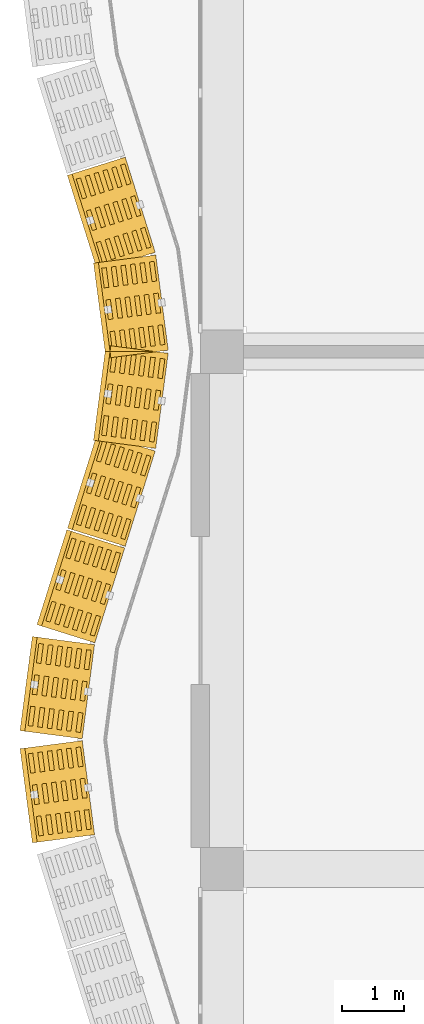
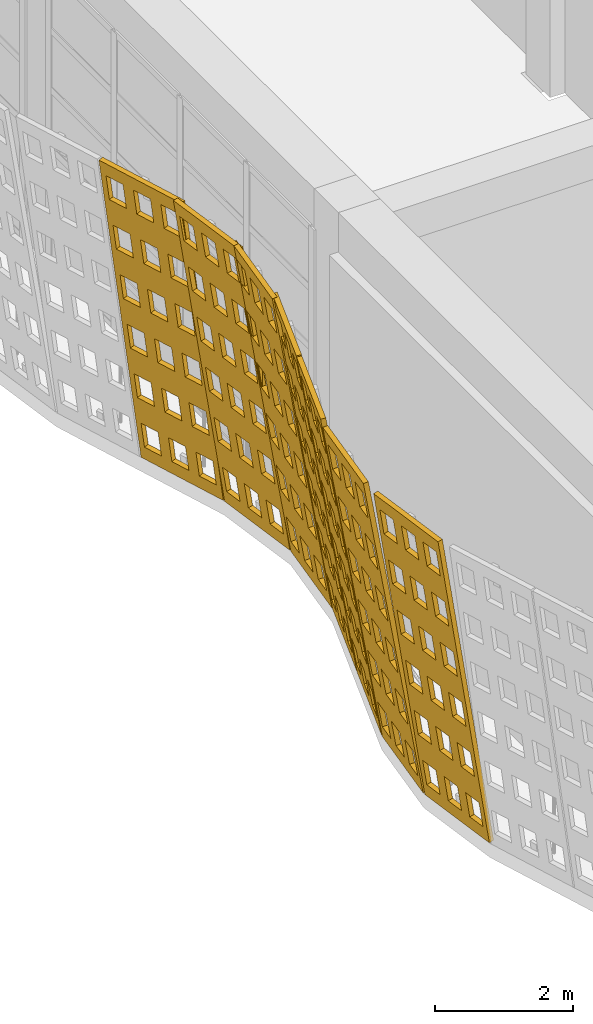
# One storey, part 152 of 210: 7 coverings.
"""IFC4 building model written with IfcOpenShell, lengths in metres."""

from ifc_helpers import new_model, si_unit, direction, frame, origin, place, context, subcontext, project, spatial, polyline, outline, extrude, material, layer, layer_set, type_object, element, save


model = new_model("IFC4")

# Units and contexts
model_context = context("Model", 3, precision=1e-05, world=origin(), true_north=direction((0.0, 1.0)))
body_context = subcontext(model_context, "Body", "Model", "MODEL_VIEW")
ifc_project = project(units=[si_unit("LENGTHUNIT", "METRE"), si_unit("AREAUNIT", "SQUARE_METRE"), si_unit("VOLUMEUNIT", "CUBIC_METRE"), si_unit("PLANEANGLEUNIT", "RADIAN"), si_unit("MASSUNIT", "GRAM", prefix="KILO")], contexts=[model_context])

# Site, building, storey
site_placement = place(None, origin())
site = spatial("IfcSite", under=ifc_project, at=site_placement, CompositionType="ELEMENT")
building_placement = place(site_placement, origin())
building = spatial("IfcBuilding", under=site, at=building_placement, Name="Rain Tree Exposition and Congress Centre", CompositionType="ELEMENT")
storey_placement = place(building_placement, origin())
storey = spatial("IfcBuildingStorey", under=building, at=storey_placement, Name="L00", CompositionType="ELEMENT", Elevation=0.0)

# Coverings
ifc_material = material(Name="Perforated terracotta", Category="masonry")
ifc_layer = layer(ifc_material, 0.080078125)
ifc_layer_set = layer_set([ifc_layer], Name="Perforated terracotta")
covering_type = type_object("IfcCoveringType", Name="Terracotta screen 80", PredefinedType="CLADDING", material=ifc_layer_set)
covering_1_placement = place(storey_placement, frame((-1.64990234375, 28.35009765625, 0.0), z_axis=(0.94213835477, 0.296712403937, 0.156003428874), x_axis=(-0.300390227601, 0.953816392794, 0.0)))
element("IfcCovering", 1, at=covering_1_placement, inside=storey, type_object=covering_type, Name="wing/screen/L00/117", PredefinedType="CLADDING", context=body_context, shape_type="SweptSolid", body=[
    extrude(outline(polyline([(-1.635986328125, 0.0), (-1.635986328125, 5.808349609375), (-0.014892578125, 5.808349609375), (-0.014892578125, 0.0), (-1.635986328125, 0.0)]), holes=[polyline([(-0.11767578125, 0.249755859375), (-0.11767578125, 0.71826171875), (-0.45263671875, 0.71826171875), (-0.45263671875, 0.249755859375), (-0.11767578125, 0.249755859375)]), polyline([(-0.11767578125, 1.218017578125), (-0.11767578125, 1.686279296875), (-0.45263671875, 1.686279296875), (-0.45263671875, 1.218017578125), (-0.11767578125, 1.218017578125)]), polyline([(-0.11767578125, 2.18603515625), (-0.11767578125, 2.654296875), (-0.45263671875, 2.654296875), (-0.45263671875, 2.18603515625), (-0.11767578125, 2.18603515625)]), polyline([(-0.11767578125, 3.154052734375), (-0.11767578125, 3.62255859375), (-0.45263671875, 3.62255859375), (-0.45263671875, 3.154052734375), (-0.11767578125, 3.154052734375)]), polyline([(-0.11767578125, 4.1220703125), (-0.11767578125, 4.590576171875), (-0.45263671875, 4.590576171875), (-0.45263671875, 4.1220703125), (-0.11767578125, 4.1220703125)]), polyline([(-0.11767578125, 5.090087890625), (-0.11767578125, 5.55859375), (-0.45263671875, 5.55859375), (-0.45263671875, 5.090087890625), (-0.11767578125, 5.090087890625)]), polyline([(-0.657958984375, 0.249755859375), (-0.657958984375, 0.71826171875), (-0.992919921875, 0.71826171875), (-0.992919921875, 0.249755859375), (-0.657958984375, 0.249755859375)]), polyline([(-0.657958984375, 1.218017578125), (-0.657958984375, 1.686279296875), (-0.992919921875, 1.686279296875), (-0.992919921875, 1.218017578125), (-0.657958984375, 1.218017578125)]), polyline([(-0.657958984375, 2.18603515625), (-0.657958984375, 2.654296875), (-0.992919921875, 2.654296875), (-0.992919921875, 2.18603515625), (-0.657958984375, 2.18603515625)]), polyline([(-0.657958984375, 3.154052734375), (-0.657958984375, 3.62255859375), (-0.992919921875, 3.62255859375), (-0.992919921875, 3.154052734375), (-0.657958984375, 3.154052734375)]), polyline([(-0.657958984375, 4.1220703125), (-0.657958984375, 4.590576171875), (-0.992919921875, 4.590576171875), (-0.992919921875, 4.1220703125), (-0.657958984375, 4.1220703125)]), polyline([(-0.657958984375, 5.090087890625), (-0.657958984375, 5.55859375), (-0.992919921875, 5.55859375), (-0.992919921875, 5.090087890625), (-0.657958984375, 5.090087890625)]), polyline([(-1.1982421875, 0.249755859375), (-1.1982421875, 0.71826171875), (-1.533203125, 0.71826171875), (-1.533203125, 0.249755859375), (-1.1982421875, 0.249755859375)]), polyline([(-1.1982421875, 1.218017578125), (-1.1982421875, 1.686279296875), (-1.533203125, 1.686279296875), (-1.533203125, 1.218017578125), (-1.1982421875, 1.218017578125)]), polyline([(-1.1982421875, 2.18603515625), (-1.1982421875, 2.654296875), (-1.533203125, 2.654296875), (-1.533203125, 2.18603515625), (-1.1982421875, 2.18603515625)]), polyline([(-1.1982421875, 3.154052734375), (-1.1982421875, 3.62255859375), (-1.533203125, 3.62255859375), (-1.533203125, 3.154052734375), (-1.1982421875, 3.154052734375)]), polyline([(-1.1982421875, 4.1220703125), (-1.1982421875, 4.590576171875), (-1.533203125, 4.590576171875), (-1.533203125, 4.1220703125), (-1.1982421875, 4.1220703125)]), polyline([(-1.1982421875, 5.090087890625), (-1.1982421875, 5.55859375), (-1.533203125, 5.55859375), (-1.533203125, 5.090087890625), (-1.1982421875, 5.090087890625)])]), origin(), (0.0, 0.0, 1.0), 0.079833984375),
])
covering_2_placement = place(storey_placement, frame((-1.155029296875, 26.77490234375, 0.0), z_axis=(0.978522114732, 0.1280309309, 0.161562841373), x_axis=(-0.129735338481, 0.991548658387, 0.0)))
element("IfcCovering", 2, at=covering_2_placement, inside=storey, type_object=covering_type, Name="wing/screen/L00/118", PredefinedType="CLADDING", context=body_context, shape_type="SweptSolid", body=[
    extrude(outline(polyline([(-1.5732421875, 0.0), (-1.5732421875, 5.813720703125), (-0.014892578125, 5.813720703125), (-0.014892578125, 0.0), (-1.5732421875, 0.0)]), holes=[polyline([(-0.11376953125, 0.25), (-0.11376953125, 0.718994140625), (-0.435791015625, 0.718994140625), (-0.435791015625, 0.25), (-0.11376953125, 0.25)]), polyline([(-0.11376953125, 1.218994140625), (-0.11376953125, 1.687744140625), (-0.435791015625, 1.687744140625), (-0.435791015625, 1.218994140625), (-0.11376953125, 1.218994140625)]), polyline([(-0.11376953125, 2.18798828125), (-0.11376953125, 2.65673828125), (-0.435791015625, 2.65673828125), (-0.435791015625, 2.18798828125), (-0.11376953125, 2.18798828125)]), polyline([(-0.11376953125, 3.15673828125), (-0.11376953125, 3.625732421875), (-0.435791015625, 3.625732421875), (-0.435791015625, 3.15673828125), (-0.11376953125, 3.15673828125)]), polyline([(-0.11376953125, 4.125732421875), (-0.11376953125, 4.594482421875), (-0.435791015625, 4.594482421875), (-0.435791015625, 4.125732421875), (-0.11376953125, 4.125732421875)]), polyline([(-0.11376953125, 5.0947265625), (-0.11376953125, 5.5634765625), (-0.435791015625, 5.5634765625), (-0.435791015625, 5.0947265625), (-0.11376953125, 5.0947265625)]), polyline([(-0.633056640625, 0.25), (-0.633056640625, 0.718994140625), (-0.955078125, 0.718994140625), (-0.955078125, 0.25), (-0.633056640625, 0.25)]), polyline([(-0.633056640625, 1.218994140625), (-0.633056640625, 1.687744140625), (-0.955078125, 1.687744140625), (-0.955078125, 1.218994140625), (-0.633056640625, 1.218994140625)]), polyline([(-0.633056640625, 2.18798828125), (-0.633056640625, 2.65673828125), (-0.955078125, 2.65673828125), (-0.955078125, 2.18798828125), (-0.633056640625, 2.18798828125)]), polyline([(-0.633056640625, 3.15673828125), (-0.633056640625, 3.625732421875), (-0.955078125, 3.625732421875), (-0.955078125, 3.15673828125), (-0.633056640625, 3.15673828125)]), polyline([(-0.633056640625, 4.125732421875), (-0.633056640625, 4.594482421875), (-0.955078125, 4.594482421875), (-0.955078125, 4.125732421875), (-0.633056640625, 4.125732421875)]), polyline([(-0.633056640625, 5.0947265625), (-0.633056640625, 5.5634765625), (-0.955078125, 5.5634765625), (-0.955078125, 5.0947265625), (-0.633056640625, 5.0947265625)]), polyline([(-1.152587890625, 0.25), (-1.152587890625, 0.718994140625), (-1.474609375, 0.718994140625), (-1.474609375, 0.25), (-1.152587890625, 0.25)]), polyline([(-1.152587890625, 1.218994140625), (-1.152587890625, 1.687744140625), (-1.474609375, 1.687744140625), (-1.474609375, 1.218994140625), (-1.152587890625, 1.218994140625)]), polyline([(-1.152587890625, 2.18798828125), (-1.152587890625, 2.65673828125), (-1.474609375, 2.65673828125), (-1.474609375, 2.18798828125), (-1.152587890625, 2.18798828125)]), polyline([(-1.152587890625, 3.15673828125), (-1.152587890625, 3.625732421875), (-1.474609375, 3.625732421875), (-1.474609375, 3.15673828125), (-1.152587890625, 3.15673828125)]), polyline([(-1.152587890625, 4.125732421875), (-1.152587890625, 4.594482421875), (-1.474609375, 4.594482421875), (-1.474609375, 4.125732421875), (-1.152587890625, 4.125732421875)]), polyline([(-1.152587890625, 5.0947265625), (-1.152587890625, 5.5634765625), (-1.474609375, 5.5634765625), (-1.474609375, 5.0947265625), (-1.152587890625, 5.0947265625)])]), origin(), (0.0, 0.0, 1.0), 0.080078125),
])
covering_3_placement = place(storey_placement, frame((-0.949951171875, 25.199951171875, 0.0), z_axis=(0.978522114732, -0.1280309309, 0.161562841373), x_axis=(0.129735338481, 0.991548658387, 0.0)))
element("IfcCovering", 3, at=covering_3_placement, inside=storey, type_object=covering_type, Name="wing/screen/L00/119", PredefinedType="CLADDING", context=body_context, shape_type="SweptSolid", body=[
    extrude(outline(polyline([(-1.5732421875, 0.0), (-1.5732421875, 5.813720703125), (-0.014892578125, 5.813720703125), (-0.014892578125, 0.0), (-1.5732421875, 0.0)]), holes=[polyline([(-0.11376953125, 0.25), (-0.11376953125, 0.718994140625), (-0.435791015625, 0.718994140625), (-0.435791015625, 0.25), (-0.11376953125, 0.25)]), polyline([(-0.11376953125, 1.218994140625), (-0.11376953125, 1.687744140625), (-0.435791015625, 1.687744140625), (-0.435791015625, 1.218994140625), (-0.11376953125, 1.218994140625)]), polyline([(-0.11376953125, 2.18798828125), (-0.11376953125, 2.65673828125), (-0.435791015625, 2.65673828125), (-0.435791015625, 2.18798828125), (-0.11376953125, 2.18798828125)]), polyline([(-0.11376953125, 3.15673828125), (-0.11376953125, 3.625732421875), (-0.435791015625, 3.625732421875), (-0.435791015625, 3.15673828125), (-0.11376953125, 3.15673828125)]), polyline([(-0.11376953125, 4.125732421875), (-0.11376953125, 4.594482421875), (-0.435791015625, 4.594482421875), (-0.435791015625, 4.125732421875), (-0.11376953125, 4.125732421875)]), polyline([(-0.11376953125, 5.0947265625), (-0.11376953125, 5.5634765625), (-0.435791015625, 5.5634765625), (-0.435791015625, 5.0947265625), (-0.11376953125, 5.0947265625)]), polyline([(-0.633056640625, 0.25), (-0.633056640625, 0.718994140625), (-0.955078125, 0.718994140625), (-0.955078125, 0.25), (-0.633056640625, 0.25)]), polyline([(-0.633056640625, 1.218994140625), (-0.633056640625, 1.687744140625), (-0.955078125, 1.687744140625), (-0.955078125, 1.218994140625), (-0.633056640625, 1.218994140625)]), polyline([(-0.633056640625, 2.18798828125), (-0.633056640625, 2.65673828125), (-0.955078125, 2.65673828125), (-0.955078125, 2.18798828125), (-0.633056640625, 2.18798828125)]), polyline([(-0.633056640625, 3.15673828125), (-0.633056640625, 3.625732421875), (-0.955078125, 3.625732421875), (-0.955078125, 3.15673828125), (-0.633056640625, 3.15673828125)]), polyline([(-0.633056640625, 4.125732421875), (-0.633056640625, 4.594482421875), (-0.955078125, 4.594482421875), (-0.955078125, 4.125732421875), (-0.633056640625, 4.125732421875)]), polyline([(-0.633056640625, 5.0947265625), (-0.633056640625, 5.5634765625), (-0.955078125, 5.5634765625), (-0.955078125, 5.0947265625), (-0.633056640625, 5.0947265625)]), polyline([(-1.152587890625, 0.25), (-1.152587890625, 0.718994140625), (-1.474609375, 0.718994140625), (-1.474609375, 0.25), (-1.152587890625, 0.25)]), polyline([(-1.152587890625, 1.218994140625), (-1.152587890625, 1.687744140625), (-1.474609375, 1.687744140625), (-1.474609375, 1.218994140625), (-1.152587890625, 1.218994140625)]), polyline([(-1.152587890625, 2.18798828125), (-1.152587890625, 2.65673828125), (-1.474609375, 2.65673828125), (-1.474609375, 2.18798828125), (-1.152587890625, 2.18798828125)]), polyline([(-1.152587890625, 3.15673828125), (-1.152587890625, 3.625732421875), (-1.474609375, 3.625732421875), (-1.474609375, 3.15673828125), (-1.152587890625, 3.15673828125)]), polyline([(-1.152587890625, 4.125732421875), (-1.152587890625, 4.594482421875), (-1.474609375, 4.594482421875), (-1.474609375, 4.125732421875), (-1.152587890625, 4.125732421875)]), polyline([(-1.152587890625, 5.0947265625), (-1.152587890625, 5.5634765625), (-1.474609375, 5.5634765625), (-1.474609375, 5.0947265625), (-1.152587890625, 5.0947265625)])]), origin(), (0.0, 0.0, 1.0), 0.080078125),
])
covering_4_placement = place(storey_placement, frame((-1.155029296875, 23.625, 0.0), z_axis=(0.942480618158, -0.295859611525, 0.155555053482), x_axis=(0.29950542383, 0.954094597562, 0.0)))
element("IfcCovering", 4, at=covering_4_placement, inside=storey, type_object=covering_type, Name="wing/screen/L00/120", PredefinedType="CLADDING", context=body_context, shape_type="SweptSolid", body=[
    extrude(outline(polyline([(-1.635986328125, 0.0), (-1.635986328125, 5.808349609375), (-0.014892578125, 5.808349609375), (-0.014892578125, 0.0), (-1.635986328125, 0.0)]), holes=[polyline([(-0.11767578125, 0.249755859375), (-0.11767578125, 0.71826171875), (-0.45263671875, 0.71826171875), (-0.45263671875, 0.249755859375), (-0.11767578125, 0.249755859375)]), polyline([(-0.11767578125, 1.218017578125), (-0.11767578125, 1.686279296875), (-0.45263671875, 1.686279296875), (-0.45263671875, 1.218017578125), (-0.11767578125, 1.218017578125)]), polyline([(-0.11767578125, 2.18603515625), (-0.11767578125, 2.654296875), (-0.45263671875, 2.654296875), (-0.45263671875, 2.18603515625), (-0.11767578125, 2.18603515625)]), polyline([(-0.11767578125, 3.154052734375), (-0.11767578125, 3.62255859375), (-0.45263671875, 3.62255859375), (-0.45263671875, 3.154052734375), (-0.11767578125, 3.154052734375)]), polyline([(-0.11767578125, 4.1220703125), (-0.11767578125, 4.590576171875), (-0.45263671875, 4.590576171875), (-0.45263671875, 4.1220703125), (-0.11767578125, 4.1220703125)]), polyline([(-0.11767578125, 5.090087890625), (-0.11767578125, 5.55859375), (-0.45263671875, 5.55859375), (-0.45263671875, 5.090087890625), (-0.11767578125, 5.090087890625)]), polyline([(-0.657958984375, 0.249755859375), (-0.657958984375, 0.71826171875), (-0.992919921875, 0.71826171875), (-0.992919921875, 0.249755859375), (-0.657958984375, 0.249755859375)]), polyline([(-0.657958984375, 1.218017578125), (-0.657958984375, 1.686279296875), (-0.992919921875, 1.686279296875), (-0.992919921875, 1.218017578125), (-0.657958984375, 1.218017578125)]), polyline([(-0.657958984375, 2.18603515625), (-0.657958984375, 2.654296875), (-0.992919921875, 2.654296875), (-0.992919921875, 2.18603515625), (-0.657958984375, 2.18603515625)]), polyline([(-0.657958984375, 3.154052734375), (-0.657958984375, 3.62255859375), (-0.992919921875, 3.62255859375), (-0.992919921875, 3.154052734375), (-0.657958984375, 3.154052734375)]), polyline([(-0.657958984375, 4.1220703125), (-0.657958984375, 4.590576171875), (-0.992919921875, 4.590576171875), (-0.992919921875, 4.1220703125), (-0.657958984375, 4.1220703125)]), polyline([(-0.657958984375, 5.090087890625), (-0.657958984375, 5.55859375), (-0.992919921875, 5.55859375), (-0.992919921875, 5.090087890625), (-0.657958984375, 5.090087890625)]), polyline([(-1.1982421875, 0.249755859375), (-1.1982421875, 0.71826171875), (-1.533203125, 0.71826171875), (-1.533203125, 0.249755859375), (-1.1982421875, 0.249755859375)]), polyline([(-1.1982421875, 1.218017578125), (-1.1982421875, 1.686279296875), (-1.533203125, 1.686279296875), (-1.533203125, 1.218017578125), (-1.1982421875, 1.218017578125)]), polyline([(-1.1982421875, 2.18603515625), (-1.1982421875, 2.654296875), (-1.533203125, 2.654296875), (-1.533203125, 2.18603515625), (-1.1982421875, 2.18603515625)]), polyline([(-1.1982421875, 3.154052734375), (-1.1982421875, 3.62255859375), (-1.533203125, 3.62255859375), (-1.533203125, 3.154052734375), (-1.1982421875, 3.154052734375)]), polyline([(-1.1982421875, 4.1220703125), (-1.1982421875, 4.590576171875), (-1.533203125, 4.590576171875), (-1.533203125, 4.1220703125), (-1.1982421875, 4.1220703125)]), polyline([(-1.1982421875, 5.090087890625), (-1.1982421875, 5.55859375), (-1.533203125, 5.55859375), (-1.533203125, 5.090087890625), (-1.1982421875, 5.090087890625)])]), origin(), (0.0, 0.0, 1.0), 0.080078125),
])
covering_5_placement = place(storey_placement, frame((-1.64990234375, 22.050048828125, 0.0), z_axis=(0.94213835477, -0.296712403937, 0.156003428874), x_axis=(0.300390227601, 0.953816392794, 0.0)))
element("IfcCovering", 5, at=covering_5_placement, inside=storey, type_object=covering_type, Name="wing/screen/L00/121", PredefinedType="CLADDING", context=body_context, shape_type="SweptSolid", body=[
    extrude(outline(polyline([(-1.62890625, 0.0), (-1.62890625, 5.808349609375), (-0.014892578125, 5.808349609375), (-0.014892578125, 0.0), (-1.62890625, 0.0)]), holes=[polyline([(-0.1171875, 0.249755859375), (-0.1171875, 0.71826171875), (-0.45068359375, 0.71826171875), (-0.45068359375, 0.249755859375), (-0.1171875, 0.249755859375)]), polyline([(-0.1171875, 1.218017578125), (-0.1171875, 1.686279296875), (-0.45068359375, 1.686279296875), (-0.45068359375, 1.218017578125), (-0.1171875, 1.218017578125)]), polyline([(-0.1171875, 2.18603515625), (-0.1171875, 2.654296875), (-0.45068359375, 2.654296875), (-0.45068359375, 2.18603515625), (-0.1171875, 2.18603515625)]), polyline([(-0.1171875, 3.154052734375), (-0.1171875, 3.62255859375), (-0.45068359375, 3.62255859375), (-0.45068359375, 3.154052734375), (-0.1171875, 3.154052734375)]), polyline([(-0.1171875, 4.1220703125), (-0.1171875, 4.590576171875), (-0.45068359375, 4.590576171875), (-0.45068359375, 4.1220703125), (-0.1171875, 4.1220703125)]), polyline([(-0.1171875, 5.090087890625), (-0.1171875, 5.55859375), (-0.45068359375, 5.55859375), (-0.45068359375, 5.090087890625), (-0.1171875, 5.090087890625)]), polyline([(-0.6552734375, 0.249755859375), (-0.6552734375, 0.71826171875), (-0.98876953125, 0.71826171875), (-0.98876953125, 0.249755859375), (-0.6552734375, 0.249755859375)]), polyline([(-0.6552734375, 1.218017578125), (-0.6552734375, 1.686279296875), (-0.98876953125, 1.686279296875), (-0.98876953125, 1.218017578125), (-0.6552734375, 1.218017578125)]), polyline([(-0.6552734375, 2.18603515625), (-0.6552734375, 2.654296875), (-0.98876953125, 2.654296875), (-0.98876953125, 2.18603515625), (-0.6552734375, 2.18603515625)]), polyline([(-0.6552734375, 3.154052734375), (-0.6552734375, 3.62255859375), (-0.98876953125, 3.62255859375), (-0.98876953125, 3.154052734375), (-0.6552734375, 3.154052734375)]), polyline([(-0.6552734375, 4.1220703125), (-0.6552734375, 4.590576171875), (-0.98876953125, 4.590576171875), (-0.98876953125, 4.1220703125), (-0.6552734375, 4.1220703125)]), polyline([(-0.6552734375, 5.090087890625), (-0.6552734375, 5.55859375), (-0.98876953125, 5.55859375), (-0.98876953125, 5.090087890625), (-0.6552734375, 5.090087890625)]), polyline([(-1.193115234375, 0.249755859375), (-1.193115234375, 0.71826171875), (-1.526611328125, 0.71826171875), (-1.526611328125, 0.249755859375), (-1.193115234375, 0.249755859375)]), polyline([(-1.193115234375, 1.218017578125), (-1.193115234375, 1.686279296875), (-1.526611328125, 1.686279296875), (-1.526611328125, 1.218017578125), (-1.193115234375, 1.218017578125)]), polyline([(-1.193115234375, 2.18603515625), (-1.193115234375, 2.654296875), (-1.526611328125, 2.654296875), (-1.526611328125, 2.18603515625), (-1.193115234375, 2.18603515625)]), polyline([(-1.193115234375, 3.154052734375), (-1.193115234375, 3.62255859375), (-1.526611328125, 3.62255859375), (-1.526611328125, 3.154052734375), (-1.193115234375, 3.154052734375)]), polyline([(-1.193115234375, 4.1220703125), (-1.193115234375, 4.590576171875), (-1.526611328125, 4.590576171875), (-1.526611328125, 4.1220703125), (-1.193115234375, 4.1220703125)]), polyline([(-1.193115234375, 5.090087890625), (-1.193115234375, 5.55859375), (-1.526611328125, 5.55859375), (-1.526611328125, 5.090087890625), (-1.193115234375, 5.090087890625)])]), origin(), (0.0, 0.0, 1.0), 0.079833984375),
])
covering_6_placement = place(storey_placement, frame((-2.14501953125, 20.47509765625, 0.0), z_axis=(0.978522114732, -0.1280309309, 0.161562841373), x_axis=(0.129735338481, 0.991548658387, 0.0)))
element("IfcCovering", 6, at=covering_6_placement, inside=storey, type_object=covering_type, Name="wing/screen/L00/122", PredefinedType="CLADDING", context=body_context, shape_type="SweptSolid", body=[
    extrude(outline(polyline([(-1.56298828125, 0.0), (-1.56298828125, 5.813720703125), (-0.02197265625, 5.813720703125), (-0.02197265625, 0.0), (-1.56298828125, 0.0)]), holes=[polyline([(-0.11962890625, 0.25), (-0.11962890625, 0.718994140625), (-0.43798828125, 0.718994140625), (-0.43798828125, 0.25), (-0.11962890625, 0.25)]), polyline([(-0.11962890625, 1.218994140625), (-0.11962890625, 1.687744140625), (-0.43798828125, 1.687744140625), (-0.43798828125, 1.218994140625), (-0.11962890625, 1.218994140625)]), polyline([(-0.11962890625, 2.18798828125), (-0.11962890625, 2.65673828125), (-0.43798828125, 2.65673828125), (-0.43798828125, 2.18798828125), (-0.11962890625, 2.18798828125)]), polyline([(-0.11962890625, 3.15673828125), (-0.11962890625, 3.625732421875), (-0.43798828125, 3.625732421875), (-0.43798828125, 3.15673828125), (-0.11962890625, 3.15673828125)]), polyline([(-0.11962890625, 4.125732421875), (-0.11962890625, 4.594482421875), (-0.43798828125, 4.594482421875), (-0.43798828125, 4.125732421875), (-0.11962890625, 4.125732421875)]), polyline([(-0.11962890625, 5.0947265625), (-0.11962890625, 5.5634765625), (-0.43798828125, 5.5634765625), (-0.43798828125, 5.0947265625), (-0.11962890625, 5.0947265625)]), polyline([(-0.63330078125, 0.25), (-0.63330078125, 0.718994140625), (-0.95166015625, 0.718994140625), (-0.95166015625, 0.25), (-0.63330078125, 0.25)]), polyline([(-0.63330078125, 1.218994140625), (-0.63330078125, 1.687744140625), (-0.95166015625, 1.687744140625), (-0.95166015625, 1.218994140625), (-0.63330078125, 1.218994140625)]), polyline([(-0.63330078125, 2.18798828125), (-0.63330078125, 2.65673828125), (-0.95166015625, 2.65673828125), (-0.95166015625, 2.18798828125), (-0.63330078125, 2.18798828125)]), polyline([(-0.63330078125, 3.15673828125), (-0.63330078125, 3.625732421875), (-0.95166015625, 3.625732421875), (-0.95166015625, 3.15673828125), (-0.63330078125, 3.15673828125)]), polyline([(-0.63330078125, 4.125732421875), (-0.63330078125, 4.594482421875), (-0.95166015625, 4.594482421875), (-0.95166015625, 4.125732421875), (-0.63330078125, 4.125732421875)]), polyline([(-0.63330078125, 5.0947265625), (-0.63330078125, 5.5634765625), (-0.95166015625, 5.5634765625), (-0.95166015625, 5.0947265625), (-0.63330078125, 5.0947265625)]), polyline([(-1.146728515625, 0.25), (-1.146728515625, 0.718994140625), (-1.46533203125, 0.718994140625), (-1.46533203125, 0.25), (-1.146728515625, 0.25)]), polyline([(-1.146728515625, 1.218994140625), (-1.146728515625, 1.687744140625), (-1.46533203125, 1.687744140625), (-1.46533203125, 1.218994140625), (-1.146728515625, 1.218994140625)]), polyline([(-1.146728515625, 2.18798828125), (-1.146728515625, 2.65673828125), (-1.46533203125, 2.65673828125), (-1.46533203125, 2.18798828125), (-1.146728515625, 2.18798828125)]), polyline([(-1.146728515625, 3.15673828125), (-1.146728515625, 3.625732421875), (-1.46533203125, 3.625732421875), (-1.46533203125, 3.15673828125), (-1.146728515625, 3.15673828125)]), polyline([(-1.146728515625, 4.125732421875), (-1.146728515625, 4.594482421875), (-1.46533203125, 4.594482421875), (-1.46533203125, 4.125732421875), (-1.146728515625, 4.125732421875)]), polyline([(-1.146728515625, 5.0947265625), (-1.146728515625, 5.5634765625), (-1.46533203125, 5.5634765625), (-1.46533203125, 5.0947265625), (-1.146728515625, 5.0947265625)])]), origin(), (0.0, 0.0, 1.0), 0.080078125),
])
covering_7_placement = place(storey_placement, frame((-2.35009765625, 18.89990234375, 0.0), z_axis=(0.978522114732, 0.1280309309, 0.161562841373), x_axis=(-0.129735338481, 0.991548658387, 0.0)))
element("IfcCovering", 7, at=covering_7_placement, inside=storey, type_object=covering_type, Name="wing/screen/L00/123", PredefinedType="CLADDING", context=body_context, shape_type="SweptSolid", body=[
    extrude(outline(polyline([(-1.56640625, 0.0), (-1.56640625, 5.813720703125), (-0.025390625, 5.813720703125), (-0.025390625, 0.0), (-1.56640625, 0.0)]), holes=[polyline([(-0.123046875, 0.25), (-0.123046875, 0.718994140625), (-0.44140625, 0.718994140625), (-0.44140625, 0.25), (-0.123046875, 0.25)]), polyline([(-0.123046875, 1.218994140625), (-0.123046875, 1.687744140625), (-0.44140625, 1.687744140625), (-0.44140625, 1.218994140625), (-0.123046875, 1.218994140625)]), polyline([(-0.123046875, 2.18798828125), (-0.123046875, 2.65673828125), (-0.44140625, 2.65673828125), (-0.44140625, 2.18798828125), (-0.123046875, 2.18798828125)]), polyline([(-0.123046875, 3.15673828125), (-0.123046875, 3.625732421875), (-0.44140625, 3.625732421875), (-0.44140625, 3.15673828125), (-0.123046875, 3.15673828125)]), polyline([(-0.123046875, 4.125732421875), (-0.123046875, 4.594482421875), (-0.44140625, 4.594482421875), (-0.44140625, 4.125732421875), (-0.123046875, 4.125732421875)]), polyline([(-0.123046875, 5.0947265625), (-0.123046875, 5.5634765625), (-0.44140625, 5.5634765625), (-0.44140625, 5.0947265625), (-0.123046875, 5.0947265625)]), polyline([(-0.63671875, 0.25), (-0.63671875, 0.718994140625), (-0.955078125, 0.718994140625), (-0.955078125, 0.25), (-0.63671875, 0.25)]), polyline([(-0.63671875, 1.218994140625), (-0.63671875, 1.687744140625), (-0.955078125, 1.687744140625), (-0.955078125, 1.218994140625), (-0.63671875, 1.218994140625)]), polyline([(-0.63671875, 2.18798828125), (-0.63671875, 2.65673828125), (-0.955078125, 2.65673828125), (-0.955078125, 2.18798828125), (-0.63671875, 2.18798828125)]), polyline([(-0.63671875, 3.15673828125), (-0.63671875, 3.625732421875), (-0.955078125, 3.625732421875), (-0.955078125, 3.15673828125), (-0.63671875, 3.15673828125)]), polyline([(-0.63671875, 4.125732421875), (-0.63671875, 4.594482421875), (-0.955078125, 4.594482421875), (-0.955078125, 4.125732421875), (-0.63671875, 4.125732421875)]), polyline([(-0.63671875, 5.0947265625), (-0.63671875, 5.5634765625), (-0.955078125, 5.5634765625), (-0.955078125, 5.0947265625), (-0.63671875, 5.0947265625)]), polyline([(-1.150146484375, 0.25), (-1.150146484375, 0.718994140625), (-1.46875, 0.718994140625), (-1.46875, 0.25), (-1.150146484375, 0.25)]), polyline([(-1.150146484375, 1.218994140625), (-1.150146484375, 1.687744140625), (-1.46875, 1.687744140625), (-1.46875, 1.218994140625), (-1.150146484375, 1.218994140625)]), polyline([(-1.150146484375, 2.18798828125), (-1.150146484375, 2.65673828125), (-1.46875, 2.65673828125), (-1.46875, 2.18798828125), (-1.150146484375, 2.18798828125)]), polyline([(-1.150146484375, 3.15673828125), (-1.150146484375, 3.625732421875), (-1.46875, 3.625732421875), (-1.46875, 3.15673828125), (-1.150146484375, 3.15673828125)]), polyline([(-1.150146484375, 4.125732421875), (-1.150146484375, 4.594482421875), (-1.46875, 4.594482421875), (-1.46875, 4.125732421875), (-1.150146484375, 4.125732421875)]), polyline([(-1.150146484375, 5.0947265625), (-1.150146484375, 5.5634765625), (-1.46875, 5.5634765625), (-1.46875, 5.0947265625), (-1.150146484375, 5.0947265625)])]), origin(), (0.0, 0.0, 1.0), 0.080078125),
])

save(model, "model.ifc")
